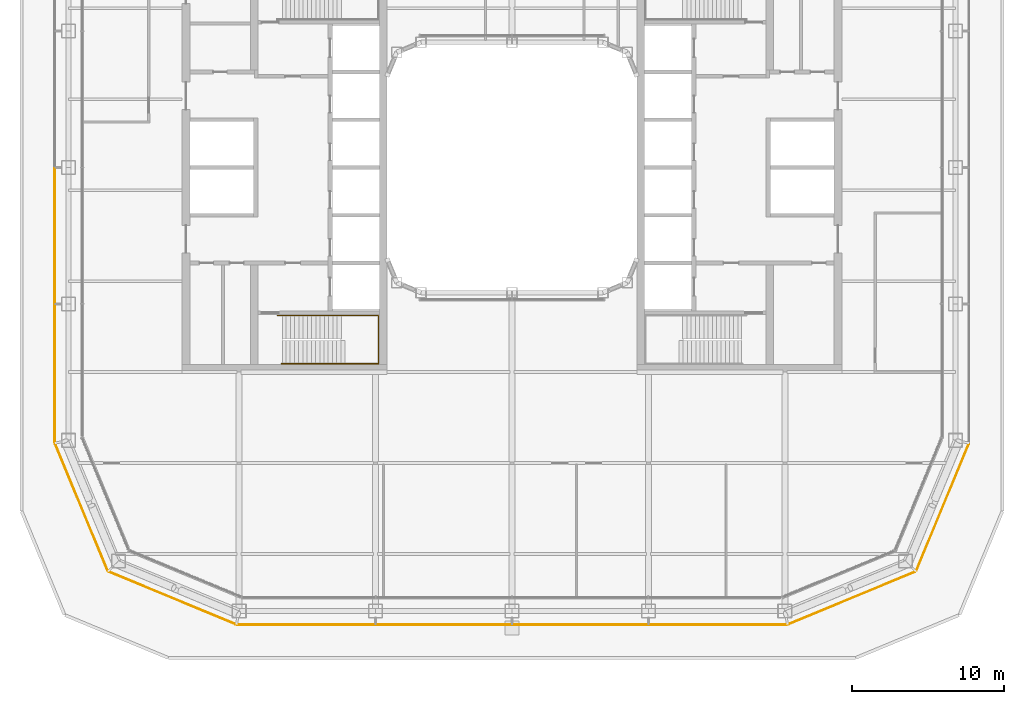
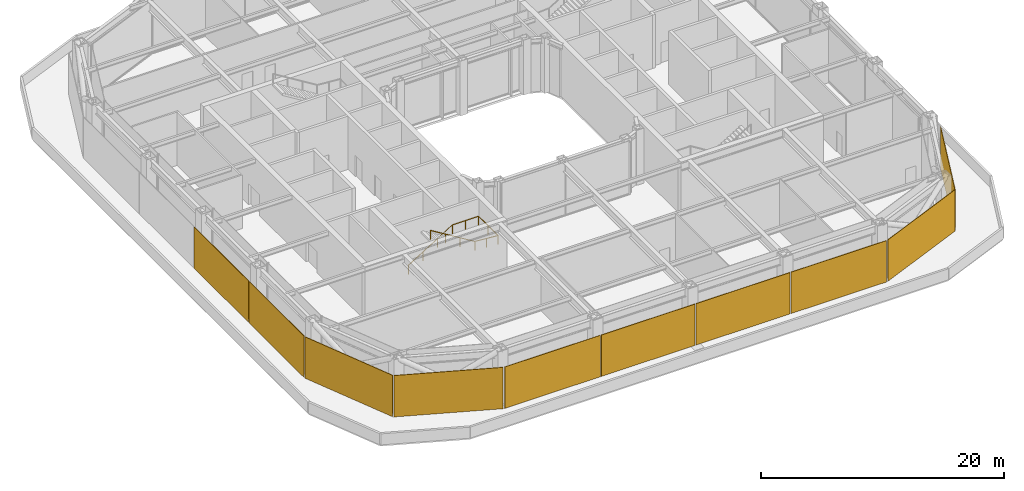
# One storey, part 17 of 21: 10 coverings, 1 railing.
"""IFC4 building model written with IfcOpenShell, lengths in metres."""

import ifcopenshell
import ifcopenshell.guid

model = None  # the IFC model being written
_history = None  # IfcOwnerHistory: only IFC2X3 demands one
_inside = {}  # id of a spatial element -> (the spatial element, [elements in it])
_under = {}  # id of a project, library or spatial element -> (it, [spatial elements below it])
_declared = {}  # id of a project -> (the project, [libraries it declares])
_typed = {}  # id of a type object -> (the type object, [elements of that type])
_made_of = {}  # id of a material, layer set ... -> (it, [elements and type objects made of it])


def new_model(schema):
    """Start an empty IFC model of exactly this schema.

    Asked for "IFC4X3", IfcOpenShell would pick the latest addendum, in which some entities
    have other attributes; the version numbers below select the first issue.
    IFC2X3 requires an IfcOwnerHistory on every rooted entity: one is made here for all.
    """
    global model, _history
    if schema == "IFC4X3":
        model = ifcopenshell.file(schema_version=(4, 3, 0, 0))
    else:
        model = ifcopenshell.file(schema=schema)
    _inside.clear()
    _under.clear()
    _declared.clear()
    _typed.clear()
    _made_of.clear()
    _history = None
    if model.schema == "IFC2X3":
        org = make("IfcOrganization", Name="unknown")
        user = make(
            "IfcPersonAndOrganization",
            ThePerson=make("IfcPerson", FamilyName="unknown"),
            TheOrganization=org,
        )
        app = make(
            "IfcApplication",
            ApplicationDeveloper=org,
            Version="unknown",
            ApplicationFullName="unknown",
            ApplicationIdentifier="unknown",
        )
        _history = make(
            "IfcOwnerHistory",
            OwningUser=user,
            OwningApplication=app,
            ChangeAction="ADDED",
            CreationDate=0,
        )
    return model


def make(cls, **values):
    """One entity of the class cls with the attributes given. An attribute that is None is left unset."""
    return model.create_entity(
        cls, **{name: value for name, value in values.items() if value is not None}
    )


def rooted(cls, **values):
    """An entity with a GlobalId (a new one), such as an element, a storey or a relation."""
    return make(cls, GlobalId=ifcopenshell.guid.new(), OwnerHistory=_history, **values)


def si_unit(unit_type, name, prefix=None):
    """IfcSIUnit, for example si_unit("LENGTHUNIT", "METRE", prefix="MILLI")."""
    return make("IfcSIUnit", UnitType=unit_type, Prefix=prefix, Name=name)


def assignment(units):
    """IfcUnitAssignment: the units of a project."""
    return None if units is None else make("IfcUnitAssignment", Units=units)


def point(xyz):
    """IfcCartesianPoint."""
    return None if xyz is None else make("IfcCartesianPoint", Coordinates=xyz)


def direction(xyz):
    """IfcDirection."""
    return None if xyz is None else make("IfcDirection", DirectionRatios=xyz)


def frame(location, z_axis=None, x_axis=None):
    """IfcAxis2Placement3D, a coordinate frame: its origin and axes. An axis left out is left unset."""
    return make(
        "IfcAxis2Placement3D",
        Location=point(location),
        Axis=direction(z_axis),
        RefDirection=direction(x_axis),
    )


def frame_2d(location, x_axis=None):
    """IfcAxis2Placement2D, a coordinate frame in the plane: its origin and x axis."""
    return make(
        "IfcAxis2Placement2D", Location=point(location), RefDirection=direction(x_axis)
    )


def origin():
    """The frame at (0, 0, 0) with its axes left unset."""
    return frame((0.0, 0.0, 0.0))


def origin_2d():
    """The frame at (0, 0) in the plane with its x axis left unset."""
    return frame_2d((0.0, 0.0))


def place(relative_to, where):
    """IfcLocalPlacement: puts the frame where relative to a parent placement (None: the world)."""
    return make(
        "IfcLocalPlacement", PlacementRelTo=relative_to, RelativePlacement=where
    )


def context(
    kind, dimensions, precision=None, world=None, true_north=None, identifier=None
):
    """IfcGeometricRepresentationContext, for example the 3D "Model" context."""
    return make(
        "IfcGeometricRepresentationContext",
        ContextIdentifier=identifier,
        ContextType=kind,
        CoordinateSpaceDimension=dimensions,
        Precision=precision,
        WorldCoordinateSystem=world,
        TrueNorth=true_north,
    )


def subcontext(parent, identifier, kind, view, scale=None):
    """IfcGeometricRepresentationSubContext, for example "Body" below "Model"."""
    return make(
        "IfcGeometricRepresentationSubContext",
        ContextIdentifier=identifier,
        ContextType=kind,
        ParentContext=parent,
        TargetScale=scale,
        TargetView=view,
    )


def project(units=None, contexts=None):
    """IfcProject with its units and contexts."""
    return rooted(
        "IfcProject",
        Name="project",
        RepresentationContexts=contexts,
        UnitsInContext=assignment(units),
    )


def spatial(cls, under=None, at=None, **own):
    """A site, building, storey or space (cls), placed at a placement, below another one or the project."""
    s = rooted(cls, ObjectPlacement=at, **own)
    if under is not None:
        _under.setdefault(under.id(), (under, []))[1].append(s)
    return s


def profile(cls, at=None, kind="AREA", **sizes):
    """A parametric profile (cls). Its sizes go by their IFC names, for example OverallWidth=200.0."""
    return make(cls, ProfileType=kind, Position=at, **sizes)


def rectangle(**sizes):
    """IfcRectangleProfileDef."""
    return profile("IfcRectangleProfileDef", **sizes)


def circle(**sizes):
    """IfcCircleProfileDef."""
    return profile("IfcCircleProfileDef", **sizes)


def extrude(swept, where, along, depth):
    """IfcExtrudedAreaSolid: the profile swept, set in the frame where, extruded along a direction by depth."""
    return make(
        "IfcExtrudedAreaSolid",
        SweptArea=swept,
        Position=where,
        ExtrudedDirection=direction(along),
        Depth=depth,
    )


def shape(context_of_items, identifier, shape_type, items):
    """IfcShapeRepresentation: the items that make up one representation, for example the "Body"."""
    return make(
        "IfcShapeRepresentation",
        ContextOfItems=context_of_items,
        RepresentationIdentifier=identifier,
        RepresentationType=shape_type,
        Items=items,
    )


def material(Name=None, Category=None):
    """IfcMaterial."""
    return make("IfcMaterial", Name=Name, Category=Category)


def layer(
    of_material, thickness, ventilated=None, Name=None, Category=None, Priority=None
):
    """IfcMaterialLayer: one layer of a wall or slab, of a material (None: an air gap)."""
    return make(
        "IfcMaterialLayer",
        Material=of_material,
        LayerThickness=thickness,
        IsVentilated=ventilated,
        Name=Name,
        Category=Category,
        Priority=Priority,
    )


def layer_set(layers, Name=None):
    """IfcMaterialLayerSet."""
    return make("IfcMaterialLayerSet", MaterialLayers=layers, LayerSetName=Name)


def made_of(thing, what):
    """Note that an element or type object is made of a material, layer set ...; save() writes the relation."""
    if what is not None:
        _made_of.setdefault(what.id(), (what, []))[1].append(thing)
    return thing


def type_object(cls, material=None, **own):
    """A type object (cls), such as IfcWallType, which elements share."""
    return made_of(rooted(cls, **own), material)


def element(
    cls,
    number,
    at=None,
    inside=None,
    cuts=None,
    type_object=None,
    material=None,
    context=None,
    identifier="Body",
    shape_type=None,
    held_by="IfcProductDefinitionShape",
    body=None,
    shapes=None,
    **own,
):
    """One element of the class cls, such as IfcWall. Its Tag is "e" and its number.

    at: its placement. inside: the storey or other place that contains it. cuts: it is an
    opening in that element (IfcRelVoidsElement). A single representation is given by context,
    identifier, shape_type and body (its items); several are given by shapes. held_by: the class
    of the entity that holds the representations. save() writes the other relations.
    """
    e = rooted(cls, Tag="e%d" % number, ObjectPlacement=at, **own)
    if body is not None:
        shapes = [shape(context, identifier, shape_type, body)]
    if shapes is not None:
        e.Representation = make(held_by, Representations=shapes)
    if inside is not None:
        _inside.setdefault(inside.id(), (inside, []))[1].append(e)
    if cuts is not None:
        rooted(
            "IfcRelVoidsElement", RelatingBuildingElement=cuts, RelatedOpeningElement=e
        )
    if type_object is not None:
        _typed.setdefault(type_object.id(), (type_object, []))[1].append(e)
    return made_of(e, material)


def aggregate(whole, parts):
    """IfcRelAggregates: a whole, such as a stair, and the parts it consists of."""
    return rooted("IfcRelAggregates", RelatingObject=whole, RelatedObjects=parts)


def save(model, path):
    """Write the relations noted so far, then the file.

    IfcRelAggregates (storeys below a building ...), IfcRelContainedInSpatialStructure (elements
    in a storey), IfcRelDefinesByType, IfcRelAssociatesMaterial and IfcRelDeclares: one each for
    every whole, place, type object, material and project.
    """
    for whole, parts in _under.values():
        aggregate(whole, parts)
    for where, things in _inside.values():
        rooted(
            "IfcRelContainedInSpatialStructure",
            RelatedElements=things,
            RelatingStructure=where,
        )
    for kind, things in _typed.values():
        rooted("IfcRelDefinesByType", RelatedObjects=things, RelatingType=kind)
    for what, things in _made_of.values():
        rooted("IfcRelAssociatesMaterial", RelatedObjects=things, RelatingMaterial=what)
    for by, libraries in _declared.values():
        rooted("IfcRelDeclares", RelatingContext=by, RelatedDefinitions=libraries)
    model.write(path)


model = new_model("IFC4")

# Units and contexts
model_context = context("Model", 3, precision=1e-05, world=origin(), true_north=direction((0.0, 1.0)))
body_context = subcontext(model_context, "Body", "Model", "MODEL_VIEW")
ifc_project = project(units=[si_unit("LENGTHUNIT", "METRE"), si_unit("AREAUNIT", "SQUARE_METRE"), si_unit("VOLUMEUNIT", "CUBIC_METRE"), si_unit("PLANEANGLEUNIT", "RADIAN"), si_unit("MASSUNIT", "GRAM", prefix="KILO")], contexts=[model_context])

# Site, building, storey
site_placement = place(None, origin())
site = spatial("IfcSite", under=ifc_project, at=site_placement, CompositionType="ELEMENT")
building_placement = place(site_placement, origin())
building = spatial("IfcBuilding", under=site, at=building_placement, Name="Siwar Civic Tower", CompositionType="ELEMENT")
storey_placement = place(building_placement, frame((0.0, 0.0, 99.199951171875)))
storey = spatial("IfcBuildingStorey", under=building, at=storey_placement, Name="L21", CompositionType="ELEMENT", Elevation=99.199951171875)

# Railing
ifc_material_1 = material(Name="Stainless steel", Category="steel")
railing_type = type_object("IfcRailingType", Name="CORE-STAIR-HANDRAIL", PredefinedType="HANDRAIL", material=ifc_material_1)
railing_placement = place(storey_placement, frame((-15.449951171875, -9.758056640625, 0.171875)))
element("IfcRailing", 1, at=railing_placement, inside=storey, type_object=railing_type, Name="Stair handrail ST2", PredefinedType="HANDRAIL", context=body_context, shape_type="SweptSolid", body=[
    extrude(circle(Radius=0.02001953125, at=origin_2d()), frame((0.0, 0.0, 0.8798828125), z_axis=(0.849426996612, 0.0, 0.527706146854), x_axis=(0.0, 1.0, 0.0)), (0.0, 0.0, 1.0), 4.885498046875),
    extrude(circle(Radius=0.02001953125, at=origin_2d()), frame((4.14990234375, 0.0, 3.4580078125), z_axis=(1.0, 0.0, 0.0), x_axis=(0.0, 1.0, 0.0)), (0.0, 0.0, 1.0), 2.491943359375),
    extrude(circle(Radius=0.02001953125, at=origin_2d()), frame((6.641845703125, 0.0, 3.4580078125), z_axis=(0.0, -1.0, 0.0), x_axis=(1.0, 0.0, 0.0)), (0.0, 0.0, 1.0), 3.183837890625),
    extrude(circle(Radius=0.02001953125, at=origin_2d()), frame((6.641845703125, -3.183837890625, 3.4580078125), z_axis=(-0.996939735461, 0.0, 0.078173933367), x_axis=(0.0, -1.0, 0.0)), (0.0, 0.0, 1.0), 2.19873046875),
    extrude(circle(Radius=0.02001953125, at=origin_2d()), frame((4.449951171875, -3.183837890625, 3.6298828125), z_axis=(-0.852242915053, 0.0, 0.523146264196), x_axis=(0.0, -1.0, 0.0)), (0.0, 0.0, 1.0), 4.92822265625),
    extrude(circle(Radius=0.02001953125, at=origin_2d()), origin(), (0.0, 0.0, 1.0), 0.85986328125),
    extrude(circle(Radius=0.02001953125, at=origin_2d()), frame((1.38330078125, 0.0, 0.859375)), (0.0, 0.0, 1.0), 0.85986328125),
    extrude(circle(Radius=0.02001953125, at=origin_2d()), frame((2.7666015625, 0.0, 1.71875)), (0.0, 0.0, 1.0), 0.85986328125),
    extrude(circle(Radius=0.02001953125, at=origin_2d()), frame((4.14990234375, 0.0, 2.578125)), (0.0, 0.0, 1.0), 0.85986328125),
    extrude(circle(Radius=0.02001953125, at=origin_2d()), frame((5.39599609375, 0.0, 2.578125)), (0.0, 0.0, 1.0), 0.85986328125),
    extrude(circle(Radius=0.02001953125, at=origin_2d()), frame((6.641845703125, 0.0, 2.578125)), (0.0, 0.0, 1.0), 0.85986328125),
    extrude(circle(Radius=0.02001953125, at=origin_2d()), frame((6.641845703125, -1.591796875, 2.578125)), (0.0, 0.0, 1.0), 0.85986328125),
    extrude(circle(Radius=0.02001953125, at=origin_2d()), frame((6.641845703125, -3.183837890625, 2.578125)), (0.0, 0.0, 1.0), 0.85986328125),
    extrude(circle(Radius=0.02001953125, at=origin_2d()), frame((5.5458984375, -3.183837890625, 2.6640625)), (0.0, 0.0, 1.0), 0.85986328125),
    extrude(circle(Radius=0.02001953125, at=origin_2d()), frame((4.449951171875, -3.183837890625, 2.75)), (0.0, 0.0, 1.0), 0.85986328125),
    extrude(circle(Radius=0.02001953125, at=origin_2d()), frame((3.050048828125, -3.183837890625, 3.609375)), (0.0, 0.0, 1.0), 0.85986328125),
    extrude(circle(Radius=0.02001953125, at=origin_2d()), frame((1.64990234375, -3.183837890625, 4.46875)), (0.0, 0.0, 1.0), 0.85986328125),
    extrude(circle(Radius=0.02001953125, at=origin_2d()), frame((0.25, -3.183837890625, 5.328125)), (0.0, 0.0, 1.0), 0.85986328125),
])

# Coverings
ifc_material_2 = material(Name="Perforated aluminium cassette, pale metal", Category="aluminium")
ifc_layer_1 = layer(ifc_material_2, 0.044921875)
ifc_layer_set_1 = layer_set([ifc_layer_1], Name="Perforated aluminium cassette, pale metal")
covering_type_1 = type_object("IfcCoveringType", Name="ENV-OUTER SKIN OS-2", PredefinedType="CLADDING", material=ifc_layer_set_1)
covering_1_placement = place(storey_placement, frame((28.39697265625, -22.411376953125, 0.0), z_axis=(0.0, 0.0, 1.0), x_axis=(0.382683432365, 0.923879532511, 0.0)))
element("IfcCovering", 2, at=covering_1_placement, inside=storey, type_object=covering_type_1, Name="OUTER SKIN OS-2 SE2 1", PredefinedType="CLADDING", context=body_context, shape_type="SweptSolid", body=[
    extrude(rectangle(XDim=9.022216796875, YDim=0.044921875, at=origin_2d()), origin(), (0.0, 0.0, 1.0), 4.14990234375),
])
ifc_material_3 = material(Name="Perforated aluminium cassette, pale metal", Category="aluminium")
ifc_layer_2 = layer(ifc_material_3, 0.050048828125)
ifc_layer_set_2 = layer_set([ifc_layer_2], Name="Perforated aluminium cassette, pale metal")
covering_type_2 = type_object("IfcCoveringType", Name="ENV-OUTER SKIN OS-3", PredefinedType="CLADDING", material=ifc_layer_set_2)
covering_2_placement = place(storey_placement, frame((22.411376953125, -28.39697265625, 0.0), z_axis=(0.0, 0.0, 1.0), x_axis=(0.923879532511, 0.382683432365, 0.0)))
element("IfcCovering", 3, at=covering_2_placement, inside=storey, type_object=covering_type_2, Name="OUTER SKIN OS-3 SE1 1", PredefinedType="CLADDING", context=body_context, shape_type="SweptSolid", body=[
    extrude(rectangle(XDim=9.022216796875, YDim=0.050048828125, at=origin_2d()), origin(), (0.0, 0.0, 1.0), 4.14990234375),
])
covering_3_placement = place(storey_placement, frame((-30.14990234375, -4.5, 0.0), z_axis=(0.0, 0.0, 1.0), x_axis=(0.0, -1.0, 0.0)))
element("IfcCovering", 4, at=covering_3_placement, inside=storey, type_object=covering_type_2, Name="OUTER SKIN OS-3 W 3", PredefinedType="CLADDING", context=body_context, shape_type="SweptSolid", body=[
    extrude(rectangle(XDim=8.89990234375, YDim=0.050048828125, at=origin_2d()), origin(), (0.0, 0.0, 1.0), 4.14990234375),
])
covering_4_placement = place(storey_placement, frame((-30.14990234375, -13.57958984375, 0.0), z_axis=(0.0, 0.0, 1.0), x_axis=(0.0, -1.0, 0.0)))
element("IfcCovering", 5, at=covering_4_placement, inside=storey, type_object=covering_type_2, Name="OUTER SKIN OS-3 W 4", PredefinedType="CLADDING", context=body_context, shape_type="SweptSolid", body=[
    extrude(rectangle(XDim=9.05908203125, YDim=0.050048828125, at=origin_2d()), origin(), (0.0, 0.0, 1.0), 4.14990234375),
])
ifc_material_4 = material(Name="Perforated aluminium cassette, pale metal", Category="aluminium")
ifc_layer_3 = layer(ifc_material_4, 0.054931640625)
ifc_layer_set_3 = layer_set([ifc_layer_3], Name="Perforated aluminium cassette, pale metal")
covering_type_3 = type_object("IfcCoveringType", Name="ENV-OUTER SKIN OS-4", PredefinedType="CLADDING", material=ifc_layer_set_3)
covering_5_placement = place(storey_placement, frame((-13.57958984375, -30.14990234375, 0.0), z_axis=(0.0, 0.0, 1.0), x_axis=(1.0, 0.0, 0.0)))
element("IfcCovering", 6, at=covering_5_placement, inside=storey, type_object=covering_type_3, Name="OUTER SKIN OS-4 S 1", PredefinedType="CLADDING", context=body_context, shape_type="SweptSolid", body=[
    extrude(rectangle(XDim=9.05908203125, YDim=0.054931640625, at=origin_2d()), origin(), (0.0, 0.0, 1.0), 4.14990234375),
])
for number, where, z_axis, x_axis, name in (
    (7, (-4.5, -30.14990234375, 0.0), (0.0, 0.0, 1.0), (1.0, 0.0, 0.0), "OUTER SKIN OS-4 S 2"),
    (8, (4.5, -30.14990234375, 0.0), (0.0, 0.0, 1.0), (1.0, 0.0, 0.0), "OUTER SKIN OS-4 S 3"),
):
    element("IfcCovering", number, at=place(storey_placement, frame(where, z_axis=z_axis, x_axis=x_axis)), inside=storey, type_object=covering_type_3, Name=name, PredefinedType="CLADDING", context=body_context, shape_type="SweptSolid", body=[
        extrude(rectangle(XDim=8.89990234375, YDim=0.054931640625, at=origin_2d()), origin(), (0.0, 0.0, 1.0), 4.14990234375),
    ])
covering_6_placement = place(storey_placement, frame((13.57958984375, -30.14990234375, 0.0), z_axis=(0.0, 0.0, 1.0), x_axis=(1.0, 0.0, 0.0)))
element("IfcCovering", 9, at=covering_6_placement, inside=storey, type_object=covering_type_3, Name="OUTER SKIN OS-4 S 4", PredefinedType="CLADDING", context=body_context, shape_type="SweptSolid", body=[
    extrude(rectangle(XDim=9.05908203125, YDim=0.054931640625, at=origin_2d()), origin(), (0.0, 0.0, 1.0), 4.14990234375),
])
for number, where, z_axis, x_axis, name in (
    (10, (-28.39697265625, -22.411376953125, 0.0), (0.0, 0.0, 1.0), (0.382683432365, -0.923879532511, 0.0), "OUTER SKIN OS-4 SW1 1"),
    (11, (-22.411376953125, -28.39697265625, 0.0), (0.0, 0.0, 1.0), (0.923879532511, -0.382683432365, 0.0), "OUTER SKIN OS-4 SW2 1"),
):
    element("IfcCovering", number, at=place(storey_placement, frame(where, z_axis=z_axis, x_axis=x_axis)), inside=storey, type_object=covering_type_3, Name=name, PredefinedType="CLADDING", context=body_context, shape_type="SweptSolid", body=[
        extrude(rectangle(XDim=9.022216796875, YDim=0.054931640625, at=origin_2d()), origin(), (0.0, 0.0, 1.0), 4.14990234375),
    ])

save(model, "model.ifc")
